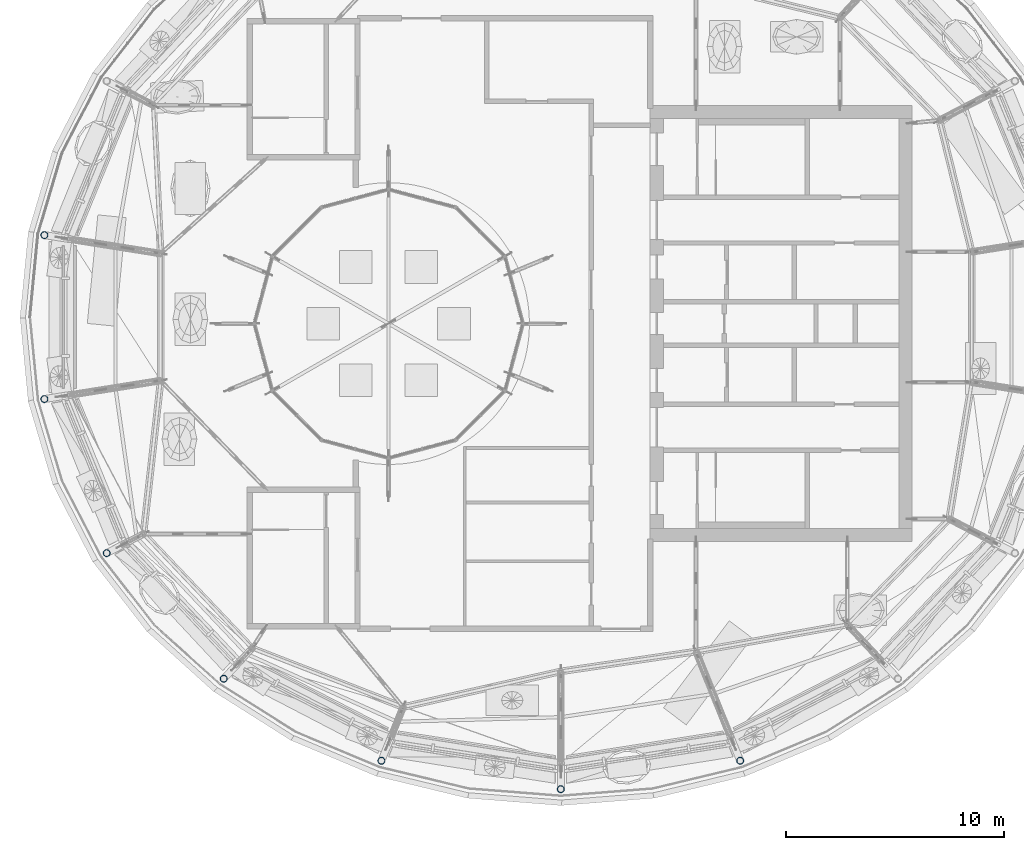
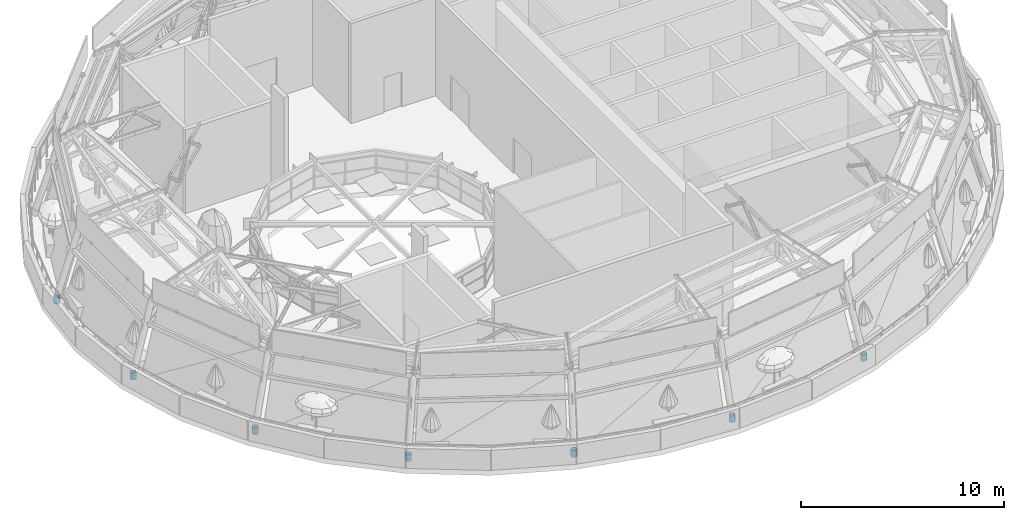
# One storey, part 1 of 40: 7 columns.
"""IFC4 building model written with IfcOpenShell, lengths in metres."""

import ifcopenshell
import ifcopenshell.guid

model = None  # the IFC model being written
_history = None  # IfcOwnerHistory: only IFC2X3 demands one
_inside = {}  # id of a spatial element -> (the spatial element, [elements in it])
_under = {}  # id of a project, library or spatial element -> (it, [spatial elements below it])
_declared = {}  # id of a project -> (the project, [libraries it declares])
_typed = {}  # id of a type object -> (the type object, [elements of that type])
_made_of = {}  # id of a material, layer set ... -> (it, [elements and type objects made of it])


def new_model(schema):
    """Start an empty IFC model of exactly this schema.

    Asked for "IFC4X3", IfcOpenShell would pick the latest addendum, in which some entities
    have other attributes; the version numbers below select the first issue.
    IFC2X3 requires an IfcOwnerHistory on every rooted entity: one is made here for all.
    """
    global model, _history
    if schema == "IFC4X3":
        model = ifcopenshell.file(schema_version=(4, 3, 0, 0))
    else:
        model = ifcopenshell.file(schema=schema)
    _inside.clear()
    _under.clear()
    _declared.clear()
    _typed.clear()
    _made_of.clear()
    _history = None
    if model.schema == "IFC2X3":
        org = make("IfcOrganization", Name="unknown")
        user = make(
            "IfcPersonAndOrganization",
            ThePerson=make("IfcPerson", FamilyName="unknown"),
            TheOrganization=org,
        )
        app = make(
            "IfcApplication",
            ApplicationDeveloper=org,
            Version="unknown",
            ApplicationFullName="unknown",
            ApplicationIdentifier="unknown",
        )
        _history = make(
            "IfcOwnerHistory",
            OwningUser=user,
            OwningApplication=app,
            ChangeAction="ADDED",
            CreationDate=0,
        )
    return model


def make(cls, **values):
    """One entity of the class cls with the attributes given. An attribute that is None is left unset."""
    return model.create_entity(
        cls, **{name: value for name, value in values.items() if value is not None}
    )


def rooted(cls, **values):
    """An entity with a GlobalId (a new one), such as an element, a storey or a relation."""
    return make(cls, GlobalId=ifcopenshell.guid.new(), OwnerHistory=_history, **values)


def si_unit(unit_type, name, prefix=None):
    """IfcSIUnit, for example si_unit("LENGTHUNIT", "METRE", prefix="MILLI")."""
    return make("IfcSIUnit", UnitType=unit_type, Prefix=prefix, Name=name)


def assignment(units):
    """IfcUnitAssignment: the units of a project."""
    return None if units is None else make("IfcUnitAssignment", Units=units)


def point(xyz):
    """IfcCartesianPoint."""
    return None if xyz is None else make("IfcCartesianPoint", Coordinates=xyz)


def direction(xyz):
    """IfcDirection."""
    return None if xyz is None else make("IfcDirection", DirectionRatios=xyz)


def frame(location, z_axis=None, x_axis=None):
    """IfcAxis2Placement3D, a coordinate frame: its origin and axes. An axis left out is left unset."""
    return make(
        "IfcAxis2Placement3D",
        Location=point(location),
        Axis=direction(z_axis),
        RefDirection=direction(x_axis),
    )


def frame_2d(location, x_axis=None):
    """IfcAxis2Placement2D, a coordinate frame in the plane: its origin and x axis."""
    return make(
        "IfcAxis2Placement2D", Location=point(location), RefDirection=direction(x_axis)
    )


def origin():
    """The frame at (0, 0, 0) with its axes left unset."""
    return frame((0.0, 0.0, 0.0))


def origin_2d():
    """The frame at (0, 0) in the plane with its x axis left unset."""
    return frame_2d((0.0, 0.0))


def place(relative_to, where):
    """IfcLocalPlacement: puts the frame where relative to a parent placement (None: the world)."""
    return make(
        "IfcLocalPlacement", PlacementRelTo=relative_to, RelativePlacement=where
    )


def context(
    kind, dimensions, precision=None, world=None, true_north=None, identifier=None
):
    """IfcGeometricRepresentationContext, for example the 3D "Model" context."""
    return make(
        "IfcGeometricRepresentationContext",
        ContextIdentifier=identifier,
        ContextType=kind,
        CoordinateSpaceDimension=dimensions,
        Precision=precision,
        WorldCoordinateSystem=world,
        TrueNorth=true_north,
    )


def subcontext(parent, identifier, kind, view, scale=None):
    """IfcGeometricRepresentationSubContext, for example "Body" below "Model"."""
    return make(
        "IfcGeometricRepresentationSubContext",
        ContextIdentifier=identifier,
        ContextType=kind,
        ParentContext=parent,
        TargetScale=scale,
        TargetView=view,
    )


def project(units=None, contexts=None):
    """IfcProject with its units and contexts."""
    return rooted(
        "IfcProject",
        Name="project",
        RepresentationContexts=contexts,
        UnitsInContext=assignment(units),
    )


def spatial(cls, under=None, at=None, **own):
    """A site, building, storey or space (cls), placed at a placement, below another one or the project."""
    s = rooted(cls, ObjectPlacement=at, **own)
    if under is not None:
        _under.setdefault(under.id(), (under, []))[1].append(s)
    return s


def profile(cls, at=None, kind="AREA", **sizes):
    """A parametric profile (cls). Its sizes go by their IFC names, for example OverallWidth=200.0."""
    return make(cls, ProfileType=kind, Position=at, **sizes)


def hollow_circle(**sizes):
    """IfcCircleHollowProfileDef."""
    return profile("IfcCircleHollowProfileDef", **sizes)


def extrude(swept, where, along, depth):
    """IfcExtrudedAreaSolid: the profile swept, set in the frame where, extruded along a direction by depth."""
    return make(
        "IfcExtrudedAreaSolid",
        SweptArea=swept,
        Position=where,
        ExtrudedDirection=direction(along),
        Depth=depth,
    )


def shape(context_of_items, identifier, shape_type, items):
    """IfcShapeRepresentation: the items that make up one representation, for example the "Body"."""
    return make(
        "IfcShapeRepresentation",
        ContextOfItems=context_of_items,
        RepresentationIdentifier=identifier,
        RepresentationType=shape_type,
        Items=items,
    )


def material(Name=None, Category=None):
    """IfcMaterial."""
    return make("IfcMaterial", Name=Name, Category=Category)


def material_profile(
    of_material, cross_section, Name=None, Category=None, Priority=None
):
    """IfcMaterialProfile: a cross section and its material."""
    return make(
        "IfcMaterialProfile",
        Name=Name,
        Material=of_material,
        Profile=cross_section,
        Priority=Priority,
        Category=Category,
    )


def profile_set(profiles, Name=None, composite=None):
    """IfcMaterialProfileSet."""
    return make(
        "IfcMaterialProfileSet",
        Name=Name,
        MaterialProfiles=profiles,
        CompositeProfile=composite,
    )


def made_of(thing, what):
    """Note that an element or type object is made of a material, layer set ...; save() writes the relation."""
    if what is not None:
        _made_of.setdefault(what.id(), (what, []))[1].append(thing)
    return thing


def type_object(cls, material=None, **own):
    """A type object (cls), such as IfcWallType, which elements share."""
    return made_of(rooted(cls, **own), material)


def element(
    cls,
    number,
    at=None,
    inside=None,
    cuts=None,
    type_object=None,
    material=None,
    context=None,
    identifier="Body",
    shape_type=None,
    held_by="IfcProductDefinitionShape",
    body=None,
    shapes=None,
    **own,
):
    """One element of the class cls, such as IfcWall. Its Tag is "e" and its number.

    at: its placement. inside: the storey or other place that contains it. cuts: it is an
    opening in that element (IfcRelVoidsElement). A single representation is given by context,
    identifier, shape_type and body (its items); several are given by shapes. held_by: the class
    of the entity that holds the representations. save() writes the other relations.
    """
    e = rooted(cls, Tag="e%d" % number, ObjectPlacement=at, **own)
    if body is not None:
        shapes = [shape(context, identifier, shape_type, body)]
    if shapes is not None:
        e.Representation = make(held_by, Representations=shapes)
    if inside is not None:
        _inside.setdefault(inside.id(), (inside, []))[1].append(e)
    if cuts is not None:
        rooted(
            "IfcRelVoidsElement", RelatingBuildingElement=cuts, RelatedOpeningElement=e
        )
    if type_object is not None:
        _typed.setdefault(type_object.id(), (type_object, []))[1].append(e)
    return made_of(e, material)


def aggregate(whole, parts):
    """IfcRelAggregates: a whole, such as a stair, and the parts it consists of."""
    return rooted("IfcRelAggregates", RelatingObject=whole, RelatedObjects=parts)


def save(model, path):
    """Write the relations noted so far, then the file.

    IfcRelAggregates (storeys below a building ...), IfcRelContainedInSpatialStructure (elements
    in a storey), IfcRelDefinesByType, IfcRelAssociatesMaterial and IfcRelDeclares: one each for
    every whole, place, type object, material and project.
    """
    for whole, parts in _under.values():
        aggregate(whole, parts)
    for where, things in _inside.values():
        rooted(
            "IfcRelContainedInSpatialStructure",
            RelatedElements=things,
            RelatingStructure=where,
        )
    for kind, things in _typed.values():
        rooted("IfcRelDefinesByType", RelatedObjects=things, RelatingType=kind)
    for what, things in _made_of.values():
        rooted("IfcRelAssociatesMaterial", RelatedObjects=things, RelatingMaterial=what)
    for by, libraries in _declared.values():
        rooted("IfcRelDeclares", RelatingContext=by, RelatedDefinitions=libraries)
    model.write(path)


model = new_model("IFC4")

# Units and contexts
model_context = context("Model", 3, precision=1e-05, world=origin(), true_north=direction((0.0, 1.0)))
body_context = subcontext(model_context, "Body", "Model", "MODEL_VIEW")
ifc_project = project(units=[si_unit("LENGTHUNIT", "METRE"), si_unit("AREAUNIT", "SQUARE_METRE"), si_unit("VOLUMEUNIT", "CUBIC_METRE"), si_unit("PLANEANGLEUNIT", "RADIAN"), si_unit("MASSUNIT", "GRAM", prefix="KILO")], contexts=[model_context])

# Site, building, storey
site_placement = place(None, origin())
site = spatial("IfcSite", under=ifc_project, at=site_placement, CompositionType="ELEMENT")
building_placement = place(site_placement, origin())
building = spatial("IfcBuilding", under=site, at=building_placement, Name="Taillehof Tower", CompositionType="ELEMENT")
storey_placement = place(building_placement, frame((0.0, 0.0, 275.199951171875)))
storey = spatial("IfcBuildingStorey", under=building, at=storey_placement, Name="L77", CompositionType="ELEMENT", Elevation=275.199951171875)

# Columns
ifc_material = material(Name="Steel S460M", Category="steel")
ifc_material_profile = material_profile(ifc_material, hollow_circle(Radius=0.161865234375, WallThickness=0.01611328125, at=origin_2d()), Name="CHS 323.9x16")
ifc_profile_set = profile_set([ifc_material_profile], Name="Steel S460M")
column_type = type_object("IfcColumnType", Name="Canopy column base CHS 323.9x16", PredefinedType="COLUMN", material=ifc_profile_set)
for number, where, z_axis, x_axis, name in (
    (1, (-23.78466796875, 4.0595703125, 0.0), (0.0, 0.0, 1.0), (1.0, 0.0, 0.0), "Canopy column base CS09"),
    (2, (-23.78466796875, -3.45947265625, 0.0), (0.0, 0.0, 1.0), (1.0, 0.0, 0.0), "Canopy column base CS10"),
    (3, (-20.927978515625, -10.52490234375, 0.0), (0.0, 0.0, 1.0), (1.0, 0.0, 0.0), "Canopy column base CS11"),
    (4, (-15.55908203125, -16.284912109375, 0.0), (0.0, 0.0, 1.0), (1.0, 0.0, 0.0), "Canopy column base CS12"),
    (5, (-8.32568359375, -20.04443359375, 0.0), (0.0, 0.0, 1.0), (1.0, 0.0, 0.0), "Canopy column base CS13"),
    (6, (-0.10009765625, -21.35009765625, 0.0), (0.0, 0.0, 1.0), (1.0, 0.0, 0.0), "Canopy column base CS14"),
    (7, (8.12548828125, -20.04443359375, 0.0), (0.0, 0.0, 1.0), (1.0, 0.0, 0.0), "Canopy column base CS15"),
):
    element("IfcColumn", number, at=place(storey_placement, frame(where, z_axis=z_axis, x_axis=x_axis)), inside=storey, type_object=column_type, Name=name, PredefinedType="COLUMN", context=body_context, shape_type="SweptSolid", body=[
        extrude(hollow_circle(Radius=0.161865234375, WallThickness=0.01611328125, at=origin_2d()), origin(), (0.0, 0.0, 1.0), 0.400146484375),
    ])

save(model, "model.ifc")
